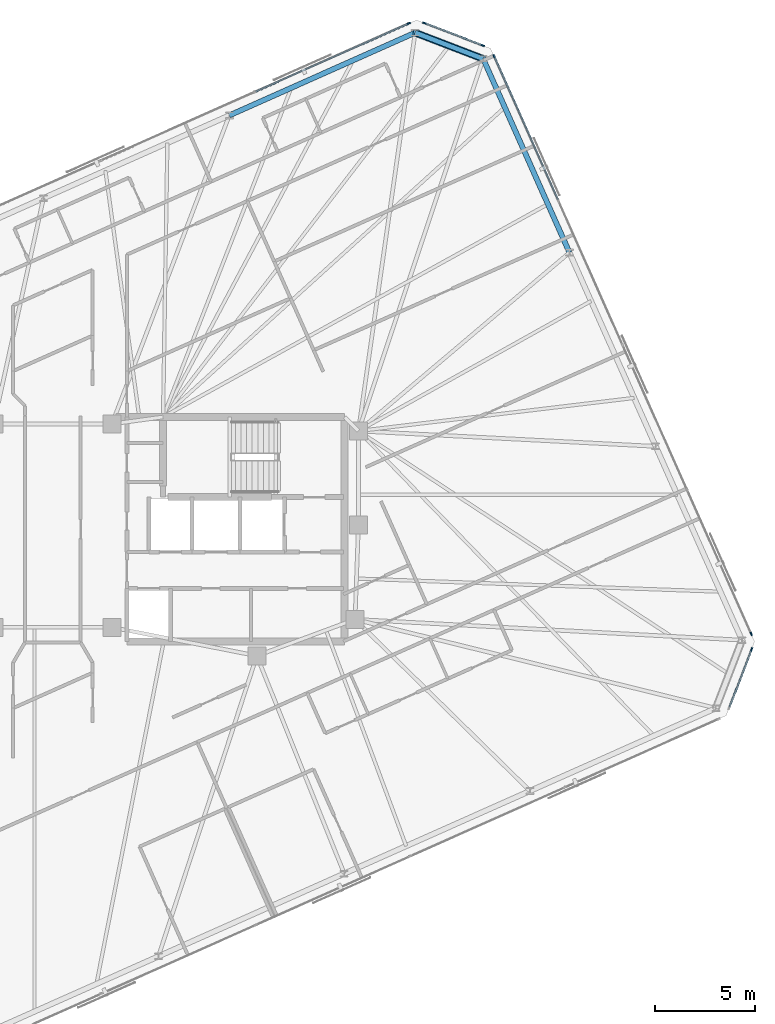
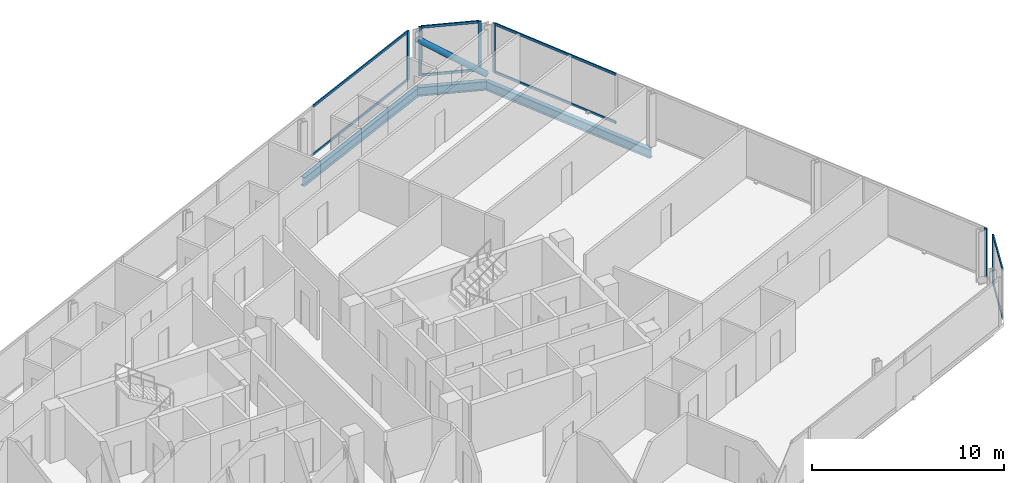
# One storey, part 11 of 19: 15 members, 3 beams, 4 elements without a shape of their own.
"""IFC4 building model written with IfcOpenShell, lengths in metres."""

from ifc_helpers import new_model, si_unit, direction, frame, origin, origin_2d, place, context, subcontext, project, spatial, rectangle, hollow_circle, i_section, extrude, material, material_profile, profile_set, type_object, element, aggregate, save


model = new_model("IFC4")

# Units and contexts
model_context = context("Model", 3, precision=1e-05, world=origin(), true_north=direction((0.0, 1.0)))
body_context = subcontext(model_context, "Body", "Model", "MODEL_VIEW")
ifc_project = project(units=[si_unit("LENGTHUNIT", "METRE"), si_unit("AREAUNIT", "SQUARE_METRE"), si_unit("VOLUMEUNIT", "CUBIC_METRE"), si_unit("PLANEANGLEUNIT", "RADIAN"), si_unit("MASSUNIT", "GRAM", prefix="KILO")], contexts=[model_context])

# Site, building, storey
site_placement = place(None, origin())
site = spatial("IfcSite", under=ifc_project, at=site_placement, CompositionType="ELEMENT")
building_placement = place(site_placement, origin())
building = spatial("IfcBuilding", under=site, at=building_placement, Name="Menara Jurai Vektor", CompositionType="ELEMENT")
storey_placement = place(building_placement, frame((0.0, 0.0, 291.949951171875)))
storey = spatial("IfcBuildingStorey", under=building, at=storey_placement, Name="L78", CompositionType="ELEMENT", Elevation=291.949951171875)

# Curtain wall, member
ifc_material_1 = material(Name="Anodised Pale Aluminium & Low-E Double Glazing", Category="aluminium")
curtain_wall_type = type_object("IfcCurtainWallType", Name="CW-BLK5", PredefinedType="NOTDEFINED", material=ifc_material_1)
curtain_wall_1_placement = place(storey_placement, origin())
curtain_wall_1 = element("IfcCurtainWall", 1, at=curtain_wall_1_placement, inside=storey, type_object=curtain_wall_type, Name="Unitised Curtain Wall L78 F02", PredefinedType="NOTDEFINED")
ifc_material_2 = material(Name="Anodised Pale Aluminium Mullion", Category="aluminium")
ifc_material_profile_1 = material_profile(ifc_material_2, rectangle(XDim=0.074951171875, YDim=0.175048828125, at=origin_2d()), Name="ALU MUL 75x175")
ifc_profile_set_1 = profile_set([ifc_material_profile_1], Name="Anodised Pale Aluminium Mullion")
member_type_1 = type_object("IfcMemberType", Name="CW-BLK5-MUL", PredefinedType="MULLION", material=ifc_profile_set_1)
member_1_placement = place(storey_placement, frame((34.87548828125, -5.997314453125, 0.0), z_axis=(0.0, 0.0, 1.0), x_axis=(-0.933578193639, 0.358373766287, 0.0)))
member_1 = element("IfcMember", 2, at=member_1_placement, type_object=member_type_1, Name="CW-05 mullion 2", PredefinedType="MULLION", context=body_context, shape_type="SweptSolid", body=[
    extrude(rectangle(XDim=0.074951171875, YDim=0.175048828125, at=origin_2d()), origin(), (0.0, 0.0, 1.0), 3.125),
])

# Curtain wall, members
curtain_wall_2_placement = place(storey_placement, origin())
curtain_wall_2 = element("IfcCurtainWall", 3, at=curtain_wall_2_placement, inside=storey, type_object=curtain_wall_type, Name="Unitised Curtain Wall L78 F03", PredefinedType="NOTDEFINED")
member_2_placement = place(storey_placement, frame((34.85546875, -5.22607421875, 0.0), z_axis=(0.0, 0.0, 1.0), x_axis=(-0.913546127706, -0.406735138086, 0.0)))
member_2 = element("IfcMember", 4, at=member_2_placement, type_object=member_type_1, Name="CW-05 mullion 1", PredefinedType="MULLION", context=body_context, shape_type="SweptSolid", body=[
    extrude(rectangle(XDim=0.074951171875, YDim=0.175048828125, at=origin_2d()), origin(), (0.0, 0.0, 1.0), 3.125),
])
member_3_placement = place(storey_placement, frame((22.016845703125, 23.610107421875, 0.0), z_axis=(0.0, 0.0, 1.0), x_axis=(-0.913546127706, -0.406735138086, 0.0)))
member_3 = element("IfcMember", 5, at=member_3_placement, type_object=member_type_1, Name="CW-05 mullion 5", PredefinedType="MULLION", context=body_context, shape_type="SweptSolid", body=[
    extrude(rectangle(XDim=0.074951171875, YDim=0.175048828125, at=origin_2d()), origin(), (0.0, 0.0, 1.0), 3.125),
])

curtain_wall_3_placement = place(storey_placement, origin())
curtain_wall_3 = element("IfcCurtainWall", 6, at=curtain_wall_3_placement, inside=storey, type_object=curtain_wall_type, Name="Unitised Curtain Wall L78 F04", PredefinedType="NOTDEFINED")
member_4_placement = place(storey_placement, frame((21.45703125, 24.14111328125, 0.0), z_axis=(0.0, 0.0, 1.0), x_axis=(-0.358373766287, -0.933578193639, 0.0)))
member_4 = element("IfcMember", 7, at=member_4_placement, type_object=member_type_1, Name="CW-05 mullion 1", PredefinedType="MULLION", context=body_context, shape_type="SweptSolid", body=[
    extrude(rectangle(XDim=0.074951171875, YDim=0.175048828125, at=origin_2d()), origin(), (0.0, 0.0, 1.0), 3.125),
])
member_5_placement = place(storey_placement, frame((18.539794921875, 25.2607421875, 0.0), z_axis=(0.0, 0.0, 1.0), x_axis=(-0.358373766287, -0.933578193639, 0.0)))
member_5 = element("IfcMember", 8, at=member_5_placement, type_object=member_type_1, Name="CW-05 mullion 2", PredefinedType="MULLION", context=body_context, shape_type="SweptSolid", body=[
    extrude(rectangle(XDim=0.074951171875, YDim=0.175048828125, at=origin_2d()), origin(), (0.0, 0.0, 1.0), 3.125),
])

# Curtain wall, member
curtain_wall_4_placement = place(storey_placement, origin())
curtain_wall_4 = element("IfcCurtainWall", 9, at=curtain_wall_4_placement, inside=storey, type_object=curtain_wall_type, Name="Unitised Curtain Wall L78 F05", PredefinedType="NOTDEFINED")
member_6_placement = place(storey_placement, frame((17.768798828125, 25.24072265625, 0.0), z_axis=(0.0, 0.0, 1.0), x_axis=(0.406735498684, -0.913545967158, 0.0)))
member_6 = element("IfcMember", 10, at=member_6_placement, type_object=member_type_1, Name="CW-05 mullion 1", PredefinedType="MULLION", context=body_context, shape_type="SweptSolid", body=[
    extrude(rectangle(XDim=0.074951171875, YDim=0.175048828125, at=origin_2d()), origin(), (0.0, 0.0, 1.0), 3.125),
])

# Member
ifc_material_3 = material(Name="Anodised Pale Aluminium Transom", Category="aluminium")
ifc_material_profile_2 = material_profile(ifc_material_3, rectangle(XDim=0.074951171875, YDim=0.155029296875, at=origin_2d()), Name="ALU TRN 75x155")
ifc_profile_set_2 = profile_set([ifc_material_profile_2], Name="Anodised Pale Aluminium Transom")
member_type_2 = type_object("IfcMemberType", Name="CW-BLK5-TRN", PredefinedType="USERDEFINED", material=ifc_profile_set_2)
member_7_placement = place(storey_placement, frame((33.769287109375, -8.87939453125, 0.03759765625), z_axis=(0.358324523823, 0.933597094911, 0.0), x_axis=(-0.933597094911, 0.358324523823, 0.0)))
member_7 = element("IfcMember", 11, at=member_7_placement, type_object=member_type_2, Name="CW-05 transom 1.1", ObjectType="TRANSOM", PredefinedType="USERDEFINED", context=body_context, shape_type="SweptSolid", body=[
    extrude(rectangle(XDim=0.074951171875, YDim=0.155029296875, at=origin_2d()), origin(), (0.0, 0.0, 1.0), 3.049560546875),
])

member_8_placement = place(storey_placement, frame((33.769287109375, -8.87939453125, 3.087646484375), z_axis=(0.358324523823, 0.933597094911, 0.0), x_axis=(-0.933597094911, 0.358324523823, 0.0)))
member_8 = element("IfcMember", 12, at=member_8_placement, type_object=member_type_2, Name="CW-05 transom 1.2", ObjectType="TRANSOM", PredefinedType="USERDEFINED", context=body_context, shape_type="SweptSolid", body=[
    extrude(rectangle(XDim=0.074951171875, YDim=0.155029296875, at=origin_2d()), origin(), (0.0, 0.0, 1.0), 3.049560546875),
])

aggregate(curtain_wall_1, [member_1, member_7, member_8])

member_9_placement = place(storey_placement, frame((25.20361328125, 16.452392578125, 0.03759765625), z_axis=(-0.406751345283, 0.913538911656, 0.0), x_axis=(-0.913538911656, -0.406751345283, 0.0)))
member_9 = element("IfcMember", 13, at=member_9_placement, type_object=member_type_2, Name="CW-05 transom 4.1", ObjectType="TRANSOM", PredefinedType="USERDEFINED", context=body_context, shape_type="SweptSolid", body=[
    extrude(rectangle(XDim=0.074951171875, YDim=0.155029296875, at=origin_2d()), origin(), (0.0, 0.0, 1.0), 7.79736328125),
])

member_10_placement = place(storey_placement, frame((25.20361328125, 16.452392578125, 3.087646484375), z_axis=(-0.406751345283, 0.913538911656, 0.0), x_axis=(-0.913538911656, -0.406751345283, 0.0)))
member_10 = element("IfcMember", 14, at=member_10_placement, type_object=member_type_2, Name="CW-05 transom 4.2", ObjectType="TRANSOM", PredefinedType="USERDEFINED", context=body_context, shape_type="SweptSolid", body=[
    extrude(rectangle(XDim=0.074951171875, YDim=0.155029296875, at=origin_2d()), origin(), (0.0, 0.0, 1.0), 7.79736328125),
])

aggregate(curtain_wall_2, [member_2, member_3, member_9, member_10])

member_11_placement = place(storey_placement, frame((21.422119140625, 24.154541015625, 0.03759765625), z_axis=(-0.933597094911, 0.358324523823, 0.0), x_axis=(-0.358324523823, -0.933597094911, 0.0)))
member_11 = element("IfcMember", 15, at=member_11_placement, type_object=member_type_2, Name="CW-05 transom 1.1", ObjectType="TRANSOM", PredefinedType="USERDEFINED", context=body_context, shape_type="SweptSolid", body=[
    extrude(rectangle(XDim=0.074951171875, YDim=0.155029296875, at=origin_2d()), origin(), (0.0, 0.0, 1.0), 3.049560546875),
])

member_12_placement = place(storey_placement, frame((21.422119140625, 24.154541015625, 3.087646484375), z_axis=(-0.933597094911, 0.358324523823, 0.0), x_axis=(-0.358324523823, -0.933597094911, 0.0)))
member_12 = element("IfcMember", 16, at=member_12_placement, type_object=member_type_2, Name="CW-05 transom 1.2", ObjectType="TRANSOM", PredefinedType="USERDEFINED", context=body_context, shape_type="SweptSolid", body=[
    extrude(rectangle(XDim=0.074951171875, YDim=0.155029296875, at=origin_2d()), origin(), (0.0, 0.0, 1.0), 3.049560546875),
])

aggregate(curtain_wall_3, [member_4, member_5, member_11, member_12])

member_13_placement = place(storey_placement, frame((17.734375, 25.225341796875, 0.03759765625), z_axis=(-0.913549007168, -0.406728670618, 0.0), x_axis=(0.406728670618, -0.913549007168, 0.0)))
member_13 = element("IfcMember", 17, at=member_13_placement, type_object=member_type_2, Name="CW-05 transom 1.1", ObjectType="TRANSOM", PredefinedType="USERDEFINED", context=body_context, shape_type="SweptSolid", body=[
    extrude(rectangle(XDim=0.074951171875, YDim=0.155029296875, at=origin_2d()), origin(), (0.0, 0.0, 1.0), 8.327392578125),
])

member_14_placement = place(storey_placement, frame((17.734375, 25.225341796875, 3.087646484375), z_axis=(-0.913549007168, -0.406728670618, 0.0), x_axis=(0.406728670618, -0.913549007168, 0.0)))
member_14 = element("IfcMember", 18, at=member_14_placement, type_object=member_type_2, Name="CW-05 transom 1.2", ObjectType="TRANSOM", PredefinedType="USERDEFINED", context=body_context, shape_type="SweptSolid", body=[
    extrude(rectangle(XDim=0.074951171875, YDim=0.155029296875, at=origin_2d()), origin(), (0.0, 0.0, 1.0), 8.327392578125),
])

aggregate(curtain_wall_4, [member_6, member_13, member_14])

ifc_material_4 = material(Name="Steel S460", Category="steel")
ifc_material_profile_3 = material_profile(ifc_material_4, hollow_circle(Radius=0.177734375, WallThickness=0.01611328125, at=origin_2d()), Name="CHS 355.6x16")
ifc_profile_set_3 = profile_set([ifc_material_profile_3], Name="Steel S460")
member_type_3 = type_object("IfcMemberType", Name="STR-BR-356", PredefinedType="BRACE", material=ifc_profile_set_3)
member_15_placement = place(storey_placement, frame((21.4755859375, 23.473388671875, 0.150146484375), z_axis=(-0.757042028889, 0.2906257681, 0.585170085882), x_axis=(-0.358394346877, -0.933570293083, 0.0)))
element("IfcMember", 19, at=member_15_placement, inside=storey, type_object=member_type_3, Name="Exoskeleton Corner Brace L78-2", PredefinedType="BRACE", context=body_context, shape_type="SweptSolid", body=[
    extrude(hollow_circle(Radius=0.177734375, WallThickness=0.01611328125, at=origin_2d()), origin(), (0.0, 0.0, 1.0), 4.48583984375),
])

# Beams
ifc_material_5 = material(Name="Steel S355", Category="steel")
ifc_material_profile_4 = material_profile(ifc_material_5, i_section(OverallWidth=0.260009765625, OverallDepth=0.570068359375, WebThickness=0.013916015625, FlangeThickness=0.02392578125, at=origin_2d()), Name="PG 570x260x145")
ifc_profile_set_4 = profile_set([ifc_material_profile_4], Name="Steel S355")
beam_type = type_object("IfcBeamType", Name="STR-SP-570", PredefinedType="SPANDREL", material=ifc_profile_set_4)
beam_1_placement = place(storey_placement, frame((25.781005859375, 13.80322265625, -0.510009765625), z_axis=(-0.40673543049, 0.91354599752, 0.0), x_axis=(-0.91354599752, -0.40673543049, 0.0)))
element("IfcBeam", 20, at=beam_1_placement, inside=storey, type_object=beam_type, Name="Exoskeleton Spandrel Beam L78-09", PredefinedType="SPANDREL", context=body_context, shape_type="SweptSolid", body=[
    extrude(i_section(OverallWidth=0.260009765625, OverallDepth=0.570068359375, WebThickness=0.013916015625, FlangeThickness=0.02392578125, at=origin_2d()), origin(), (0.0, 0.0, 1.0), 10.585205078125),
])
beam_2_placement = place(storey_placement, frame((21.4755859375, 23.473388671875, -0.510009765625), z_axis=(-0.933570293083, 0.358394346877, 0.0), x_axis=(-0.358394346877, -0.933570293083, 0.0)))
element("IfcBeam", 21, at=beam_2_placement, inside=storey, type_object=beam_type, Name="Exoskeleton Spandrel Beam L78-10", PredefinedType="SPANDREL", context=body_context, shape_type="SweptSolid", body=[
    extrude(i_section(OverallWidth=0.260009765625, OverallDepth=0.570068359375, WebThickness=0.013916015625, FlangeThickness=0.02392578125, at=origin_2d()), origin(), (0.0, 0.0, 1.0), 3.6376953125),
])
beam_3_placement = place(storey_placement, frame((18.07958984375, 24.777099609375, -0.510009765625), z_axis=(-0.913545561407, -0.406736410017, 0.0), x_axis=(0.406736410017, -0.913545561407, 0.0)))
element("IfcBeam", 22, at=beam_3_placement, inside=storey, type_object=beam_type, Name="Exoskeleton Spandrel Beam L78-11", PredefinedType="SPANDREL", context=body_context, shape_type="SweptSolid", body=[
    extrude(i_section(OverallWidth=0.260009765625, OverallDepth=0.570068359375, WebThickness=0.013916015625, FlangeThickness=0.02392578125, at=origin_2d()), origin(), (0.0, 0.0, 1.0), 10.1513671875),
])

save(model, "model.ifc")
